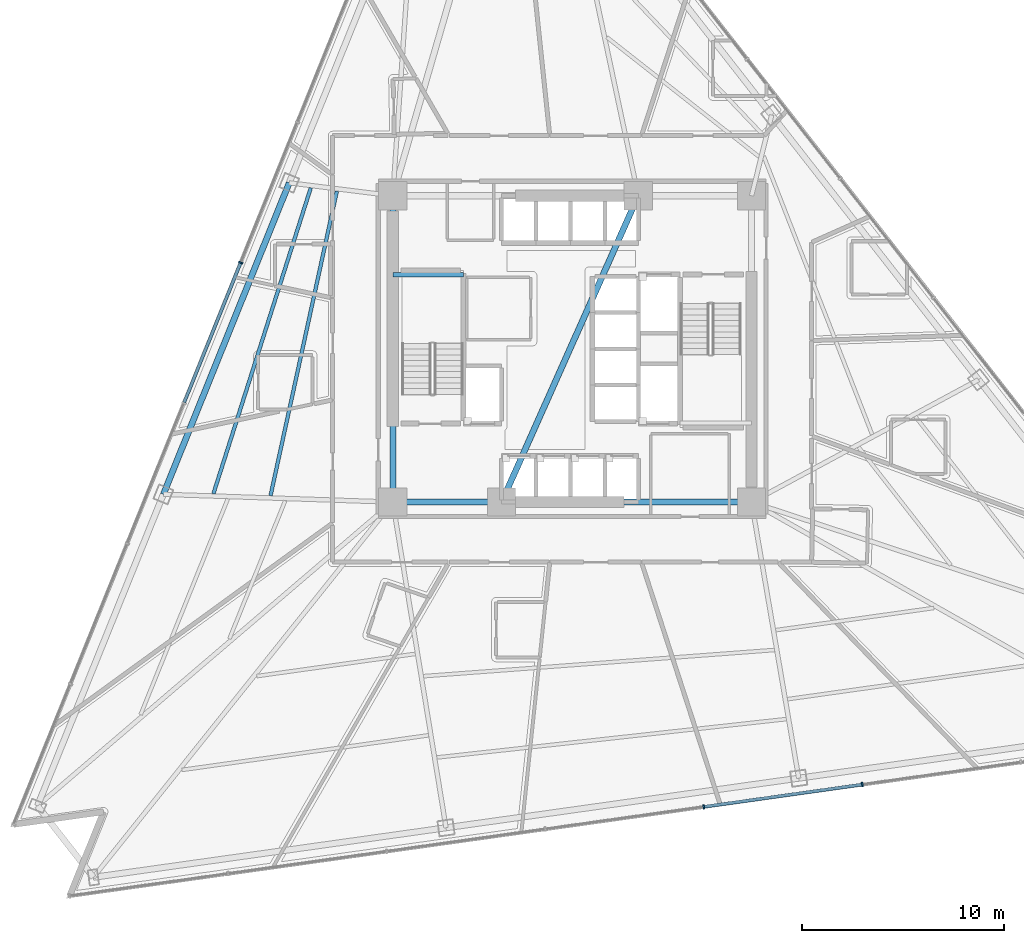
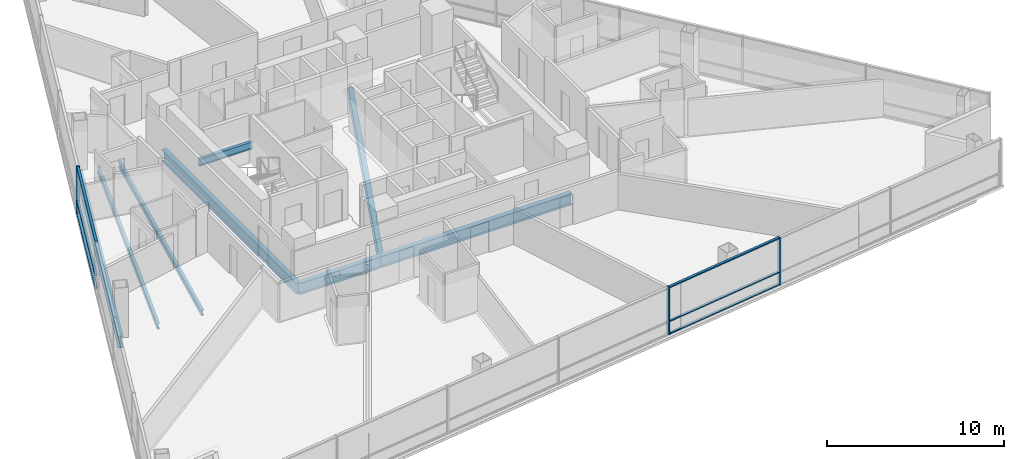
# One storey, part 3 of 15: 9 members, 8 beams, 2 elements without a shape of their own.
"""IFC4 building model written with IfcOpenShell, lengths in metres."""

from ifc_helpers import new_model, si_unit, direction, frame, origin, origin_2d, place, context, subcontext, project, spatial, rectangle, i_section, extrude, material, layer, layer_set, material_profile, profile_set, type_object, element, aggregate, save


model = new_model("IFC4")

# Units and contexts
model_context = context("Model", 3, precision=1e-05, world=origin(), true_north=direction((0.0, 1.0)))
body_context = subcontext(model_context, "Body", "Model", "MODEL_VIEW")
ifc_project = project(units=[si_unit("LENGTHUNIT", "METRE"), si_unit("AREAUNIT", "SQUARE_METRE"), si_unit("VOLUMEUNIT", "CUBIC_METRE"), si_unit("PLANEANGLEUNIT", "RADIAN"), si_unit("MASSUNIT", "GRAM", prefix="KILO")], contexts=[model_context])

# Site, building, storey
site_placement = place(None, origin())
site = spatial("IfcSite", under=ifc_project, at=site_placement, CompositionType="ELEMENT")
building_placement = place(site_placement, origin())
building = spatial("IfcBuilding", under=site, at=building_placement, Name="Tharavind Bronze Gate", CompositionType="ELEMENT")
storey_placement = place(building_placement, frame((0.0, 0.0, 63.85009765625)))
storey = spatial("IfcBuildingStorey", under=building, at=storey_placement, Name="L15", CompositionType="ELEMENT", Elevation=63.85009765625)

# Curtain wall, member
ifc_material_1 = material(Name="Anodised Bronze Aluminium", Category="aluminium")
ifc_layer = layer(ifc_material_1, 0.219970703125)
ifc_layer_set = layer_set([ifc_layer], Name="Anodised Bronze Aluminium")
curtain_wall_type = type_object("IfcCurtainWallType", Name="UNITISED CURTAIN WALL HOTEL", PredefinedType="USERDEFINED", material=ifc_layer_set)
curtain_wall_1_placement = place(storey_placement, origin())
curtain_wall_1 = element("IfcCurtainWall", 1, at=curtain_wall_1_placement, inside=storey, type_object=curtain_wall_type, Name="L15 unitised curtain wall hotel CW-L15-S1", ObjectType="UNITISED CURTAIN WALL", PredefinedType="USERDEFINED")
member_type_1 = type_object("IfcMemberType", Name="CURTAIN WALL MULLION 80X220", PredefinedType="MULLION", material=ifc_material_1)
member_1_placement = place(storey_placement, frame((-16.4462890625, 4.279541015625, 0.0), z_axis=(0.0, 0.0, 1.0), x_axis=(-0.374606593416, -0.927183854567, 0.0)))
member_1 = element("IfcMember", 2, at=member_1_placement, type_object=member_type_1, Name="CW-L15-S1 mullion 4", PredefinedType="MULLION", context=body_context, shape_type="SweptSolid", body=[
    extrude(rectangle(XDim=0.080078125, YDim=0.219970703125, at=origin_2d()), origin(), (0.0, 0.0, 1.0), 3.27490234375),
])

# Curtain wall, members
curtain_wall_2_placement = place(storey_placement, origin())
curtain_wall_2 = element("IfcCurtainWall", 3, at=curtain_wall_2_placement, inside=storey, type_object=curtain_wall_type, Name="L15 unitised curtain wall hotel CW-L15-S2", ObjectType="UNITISED CURTAIN WALL", PredefinedType="USERDEFINED")
member_2_placement = place(storey_placement, frame((6.52880859375, -22.7158203125, 0.0), z_axis=(0.0, 0.0, 1.0), x_axis=(0.990268068742, 0.13917310096, 0.0)))
member_2 = element("IfcMember", 4, at=member_2_placement, type_object=member_type_1, Name="CW-L15-S2 mullion 5", PredefinedType="MULLION", context=body_context, shape_type="SweptSolid", body=[
    extrude(rectangle(XDim=0.080078125, YDim=0.219970703125, at=origin_2d()), origin(), (0.0, 0.0, 1.0), 3.27490234375),
])
member_3_placement = place(storey_placement, frame((14.39501953125, -21.610107421875, 0.0), z_axis=(0.0, 0.0, 1.0), x_axis=(0.990268068742, 0.13917310096, 0.0)))
member_3 = element("IfcMember", 5, at=member_3_placement, type_object=member_type_1, Name="CW-L15-S2 mullion 6", PredefinedType="MULLION", context=body_context, shape_type="SweptSolid", body=[
    extrude(rectangle(XDim=0.080078125, YDim=0.219970703125, at=origin_2d()), origin(), (0.0, 0.0, 1.0), 3.27490234375),
])

# Member
member_type_2 = type_object("IfcMemberType", Name="CURTAIN WALL TRANSOM 80X160", PredefinedType="USERDEFINED", material=ifc_material_1)
member_4_placement = place(storey_placement, frame((-17.85400390625, 0.795654296875, -0.000244140625), z_axis=(0.0, 0.0, 1.0), x_axis=(-0.374606593416, -0.927183854567, 0.0)))
member_4 = element("IfcMember", 6, at=member_4_placement, type_object=member_type_2, Name="CW-L15-S1 transom TB4", ObjectType="TRANSOM", PredefinedType="USERDEFINED", context=body_context, shape_type="SweptSolid", body=[
    extrude(rectangle(XDim=7.447021484375, YDim=0.159912109375, at=origin_2d()), origin(), (0.0, 0.0, 1.0), 0.080078125),
])

member_5_placement = place(storey_placement, frame((-17.85400390625, 0.795654296875, 0.85986328125), z_axis=(0.0, 0.0, 1.0), x_axis=(-0.374606593416, -0.927183854567, 0.0)))
member_5 = element("IfcMember", 7, at=member_5_placement, type_object=member_type_2, Name="CW-L15-S1 transom TS4", ObjectType="TRANSOM", PredefinedType="USERDEFINED", context=body_context, shape_type="SweptSolid", body=[
    extrude(rectangle(XDim=7.447021484375, YDim=0.159912109375, at=origin_2d()), origin(), (0.0, 0.0, 1.0), 0.080078125),
])

member_6_placement = place(storey_placement, frame((-17.85400390625, 0.795654296875, 3.19482421875), z_axis=(0.0, 0.0, 1.0), x_axis=(-0.374606593416, -0.927183854567, 0.0)))
member_6 = element("IfcMember", 8, at=member_6_placement, type_object=member_type_2, Name="CW-L15-S1 transom TT4", ObjectType="TRANSOM", PredefinedType="USERDEFINED", context=body_context, shape_type="SweptSolid", body=[
    extrude(rectangle(XDim=7.447021484375, YDim=0.159912109375, at=origin_2d()), origin(), (0.0, 0.0, 1.0), 0.080078125),
])

aggregate(curtain_wall_1, [member_1, member_4, member_5, member_6])

member_7_placement = place(storey_placement, frame((10.4619140625, -22.1630859375, -0.000244140625), z_axis=(0.0, 0.0, 1.0), x_axis=(0.990268068742, 0.13917310096, 0.0)))
member_7 = element("IfcMember", 9, at=member_7_placement, type_object=member_type_2, Name="CW-L15-S2 transom TB5", ObjectType="TRANSOM", PredefinedType="USERDEFINED", context=body_context, shape_type="SweptSolid", body=[
    extrude(rectangle(XDim=7.87548828125, YDim=0.159912109375, at=origin_2d()), origin(), (0.0, 0.0, 1.0), 0.080078125),
])

member_8_placement = place(storey_placement, frame((10.4619140625, -22.1630859375, 0.85986328125), z_axis=(0.0, 0.0, 1.0), x_axis=(0.990268068742, 0.13917310096, 0.0)))
member_8 = element("IfcMember", 10, at=member_8_placement, type_object=member_type_2, Name="CW-L15-S2 transom TS5", ObjectType="TRANSOM", PredefinedType="USERDEFINED", context=body_context, shape_type="SweptSolid", body=[
    extrude(rectangle(XDim=7.87548828125, YDim=0.159912109375, at=origin_2d()), origin(), (0.0, 0.0, 1.0), 0.080078125),
])

member_9_placement = place(storey_placement, frame((10.4619140625, -22.1630859375, 3.19482421875), z_axis=(0.0, 0.0, 1.0), x_axis=(0.990268068742, 0.13917310096, 0.0)))
member_9 = element("IfcMember", 11, at=member_9_placement, type_object=member_type_2, Name="CW-L15-S2 transom TT5", ObjectType="TRANSOM", PredefinedType="USERDEFINED", context=body_context, shape_type="SweptSolid", body=[
    extrude(rectangle(XDim=7.87548828125, YDim=0.159912109375, at=origin_2d()), origin(), (0.0, 0.0, 1.0), 0.080078125),
])

aggregate(curtain_wall_2, [member_2, member_3, member_7, member_8, member_9])

# Beams
ifc_material_2 = material(Name="Steel S355", Category="steel")
ifc_material_profile_1 = material_profile(ifc_material_2, i_section(OverallWidth=0.199951171875, OverallDepth=0.5, WebThickness=0.01025390625, FlangeThickness=0.01611328125, at=origin_2d()), Name="IPE500")
ifc_profile_set_1 = profile_set([ifc_material_profile_1], Name="Steel S355")
beam_type_1 = type_object("IfcBeamType", Name="PRIMARY GIRDER IPE500", PredefinedType="USERDEFINED", material=ifc_profile_set_1)
beam_1_placement = place(storey_placement, frame((-8.89990234375, 3.679931640625, 1.27490234375), z_axis=(1.0, 0.0, 0.0), x_axis=(0.0, 1.0, 0.0)))
element("IfcBeam", 12, at=beam_1_placement, inside=storey, type_object=beam_type_1, Name="L15 primary girder ipe500 BM-LD-ST1-L15-1", ObjectType="GIRDER", PredefinedType="USERDEFINED", context=body_context, shape_type="SweptSolid", body=[
    extrude(i_section(OverallWidth=0.199951171875, OverallDepth=0.5, WebThickness=0.01025390625, FlangeThickness=0.01611328125, at=origin_2d()), origin(), (0.0, 0.0, 1.0), 3.5),
])
ifc_material_profile_2 = material_profile(ifc_material_2, i_section(OverallWidth=0.300048828125, OverallDepth=0.800048828125, WebThickness=0.017578125, FlangeThickness=0.032958984375, at=origin_2d()), Name="HE800B")
ifc_profile_set_2 = profile_set([ifc_material_profile_2], Name="Steel S355")
beam_type_2 = type_object("IfcBeamType", Name="RING GIRDER HE800B", PredefinedType="USERDEFINED", material=ifc_profile_set_2)
beam_2_placement = place(storey_placement, frame((-8.89990234375, -7.60009765625, -0.5751953125), z_axis=(1.0, 0.0, 0.0), x_axis=(0.0, 1.0, 0.0)))
element("IfcBeam", 13, at=beam_2_placement, inside=storey, type_object=beam_type_2, Name="L15 ring girder he800b BM-L15-CR1", ObjectType="GIRDER", PredefinedType="USERDEFINED", context=body_context, shape_type="SweptSolid", body=[
    extrude(i_section(OverallWidth=0.300048828125, OverallDepth=0.800048828125, WebThickness=0.017578125, FlangeThickness=0.032958984375, at=origin_2d()), origin(), (0.0, 0.0, 1.0), 5.39990234375),
])
beam_3_placement = place(storey_placement, frame((-3.5, -7.60009765625, -0.5751953125), z_axis=(1.0, 0.0, 0.0), x_axis=(0.0, 1.0, 0.0)))
element("IfcBeam", 14, at=beam_3_placement, inside=storey, type_object=beam_type_2, Name="L15 ring girder he800b BM-L15-CR2", ObjectType="GIRDER", PredefinedType="USERDEFINED", context=body_context, shape_type="SweptSolid", body=[
    extrude(i_section(OverallWidth=0.300048828125, OverallDepth=0.800048828125, WebThickness=0.017578125, FlangeThickness=0.032958984375, at=origin_2d()), origin(), (0.0, 0.0, 1.0), 12.39990234375),
])
beam_4_placement = place(storey_placement, frame((-8.89990234375, 7.60009765625, -0.5751953125), z_axis=(0.0, -1.0, 0.0), x_axis=(1.0, 0.0, 0.0)))
element("IfcBeam", 15, at=beam_4_placement, inside=storey, type_object=beam_type_2, Name="L15 ring girder he800b BM-L15-CR6", ObjectType="GIRDER", PredefinedType="USERDEFINED", context=body_context, shape_type="SweptSolid", body=[
    extrude(i_section(OverallWidth=0.300048828125, OverallDepth=0.800048828125, WebThickness=0.017578125, FlangeThickness=0.032958984375, at=origin_2d()), origin(), (0.0, 0.0, 1.0), 15.2001953125),
])
beam_5_placement = place(storey_placement, frame((-3.5, -7.60009765625, -0.5751953125), z_axis=(0.407361644566, 0.913266932795, 0.0), x_axis=(-0.913266932795, 0.407361644566, 0.0)))
element("IfcBeam", 16, at=beam_5_placement, inside=storey, type_object=beam_type_2, Name="L15 ring girder he800b BM-L15-CR7", ObjectType="GIRDER", PredefinedType="USERDEFINED", context=body_context, shape_type="SweptSolid", body=[
    extrude(i_section(OverallWidth=0.300048828125, OverallDepth=0.800048828125, WebThickness=0.017578125, FlangeThickness=0.032958984375, at=origin_2d()), origin(), (0.0, 0.0, 1.0), 16.643798828125),
])
beam_6_placement = place(storey_placement, frame((-14.036376953125, 8.2421875, -0.5751953125), z_axis=(-0.374613188644, -0.927181189894, 0.0), x_axis=(0.927181189894, -0.374613188644, 0.0)))
element("IfcBeam", 17, at=beam_6_placement, inside=storey, type_object=beam_type_2, Name="L15 ring girder he800b BM-L15-PRG02", ObjectType="GIRDER", PredefinedType="USERDEFINED", context=body_context, shape_type="SweptSolid", body=[
    extrude(i_section(OverallWidth=0.300048828125, OverallDepth=0.800048828125, WebThickness=0.017578125, FlangeThickness=0.032958984375, at=origin_2d()), origin(), (0.0, 0.0, 1.0), 16.6689453125),
])
ifc_material_profile_3 = material_profile(ifc_material_2, i_section(OverallWidth=0.179931640625, OverallDepth=0.39990234375, WebThickness=0.008544921875, FlangeThickness=0.013427734375, at=origin_2d()), Name="IPE400")
ifc_profile_set_3 = profile_set([ifc_material_profile_3], Name="Steel S355")
beam_type_3 = type_object("IfcBeamType", Name="SECONDARY FLOOR JOIST IPE400", PredefinedType="JOIST", material=ifc_profile_set_3)
beam_7_placement = place(storey_placement, frame((-11.67236328125, 7.831787109375, -0.375), z_axis=(-0.212838572198, -0.977087376945, 0.0), x_axis=(0.977087376945, -0.212838572198, 0.0)))
element("IfcBeam", 18, at=beam_7_placement, inside=storey, type_object=beam_type_3, Name="L15 secondary floor joist ipe400 BM-L15-JSTA02", PredefinedType="JOIST", context=body_context, shape_type="SweptSolid", body=[
    extrude(i_section(OverallWidth=0.179931640625, OverallDepth=0.39990234375, WebThickness=0.008544921875, FlangeThickness=0.013427734375, at=origin_2d()), origin(), (0.0, 0.0, 1.0), 15.4658203125),
])
beam_8_placement = place(storey_placement, frame((-12.967041015625, 7.993896484375, -0.375), z_axis=(-0.303309311807, -0.952892156212, 0.0), x_axis=(0.952892156212, -0.303309311807, 0.0)))
element("IfcBeam", 19, at=beam_8_placement, inside=storey, type_object=beam_type_3, Name="L15 secondary floor joist ipe400 BM-L15-JSTB02", PredefinedType="JOIST", context=body_context, shape_type="SweptSolid", body=[
    extrude(i_section(OverallWidth=0.179931640625, OverallDepth=0.39990234375, WebThickness=0.008544921875, FlangeThickness=0.013427734375, at=origin_2d()), origin(), (0.0, 0.0, 1.0), 15.927734375),
])

save(model, "model.ifc")
